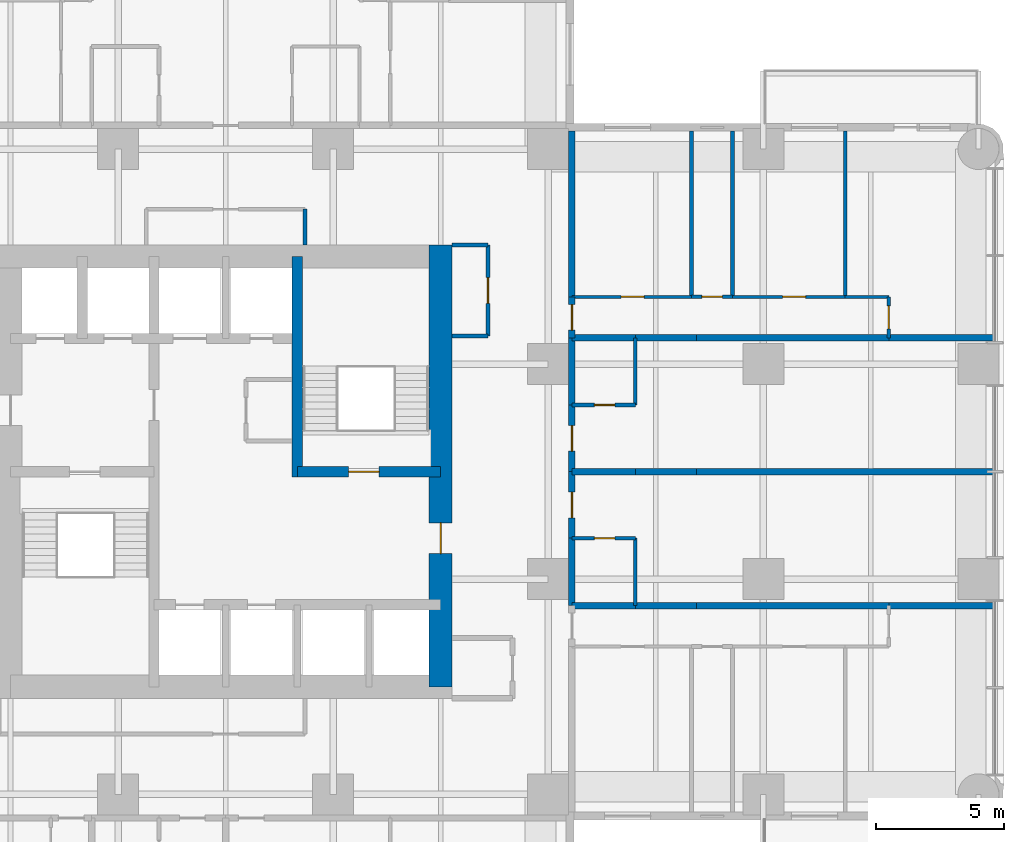
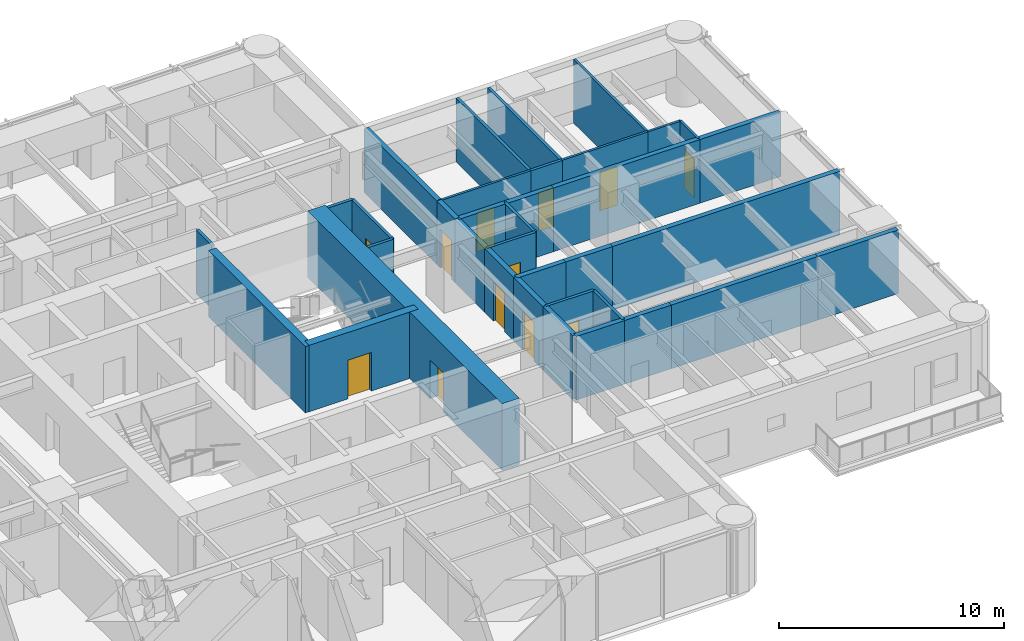
# One storey, part 10 of 14: 36 walls, 12 doors, 12 openings.
"""IFC4 building model written with IfcOpenShell, lengths in metres."""

from ifc_helpers import new_model, si_unit, direction, frame, frame_2d, origin, place, context, subcontext, project, spatial, rectangle, extrude, material, layer, layer_set, type_object, element, fill, save


model = new_model("IFC4")

# Units and contexts
model_context = context("Model", 3, precision=1e-05, world=origin(), true_north=direction((0.0, 1.0)))
body_context = subcontext(model_context, "Body", "Model", "MODEL_VIEW")
ifc_project = project(units=[si_unit("LENGTHUNIT", "METRE"), si_unit("AREAUNIT", "SQUARE_METRE"), si_unit("VOLUMEUNIT", "CUBIC_METRE"), si_unit("PLANEANGLEUNIT", "RADIAN"), si_unit("MASSUNIT", "GRAM", prefix="KILO")], contexts=[model_context])

# Site, building, storey
site_placement = place(None, origin())
site = spatial("IfcSite", under=ifc_project, at=site_placement, CompositionType="ELEMENT")
building_placement = place(site_placement, origin())
building = spatial("IfcBuilding", under=site, at=building_placement, Name="Torre Alcanfor", CompositionType="ELEMENT")
storey_placement = place(building_placement, frame((0.0, 0.0, 162.89990234375)))
storey = spatial("IfcBuildingStorey", under=building, at=storey_placement, Name="L42", CompositionType="ELEMENT", Elevation=162.89990234375)

# Wall, opening, door
ifc_material_1 = material(Name="Concrete block masonry, hollow blocks NMX-C-404 9 MPa", Category="masonry")
ifc_layer_1 = layer(ifc_material_1, 0.25)
ifc_layer_set_1 = layer_set([ifc_layer_1], Name="Apartment entrance wall 250 EI 60")
wall_type_1 = type_object("IfcWallType", Name="Apartment entrance wall 250 EI 60", PredefinedType="PARTITIONING", material=ifc_layer_set_1)
wall_1_placement = place(storey_placement, frame((42.925048828125, 32.0, 0.0), z_axis=(0.0, 0.0, 1.0), x_axis=(0.0, -1.0, 0.0)))
wall_1 = element("IfcWall", 1, at=wall_1_placement, inside=storey, type_object=wall_type_1, Name="Partition L42-CORR / L42-E1A-FOYER", PredefinedType="PARTITIONING", context=body_context, shape_type="SweptSolid", body=[
    extrude(rectangle(XDim=2.60009765625, YDim=0.25, at=frame_2d((1.300048828125, 0.0))), origin(), (0.0, 0.0, 1.0), 3.4501953125),
])
opening_1_placement = place(wall_1_placement, frame((0.800048828125, 0.0, 0.0)))
opening_1 = element("IfcOpeningElement", 2, at=opening_1_placement, cuts=wall_1, Name="Opening D-A1", PredefinedType="OPENING", context=body_context, shape_type="SweptSolid", body=[
    extrude(rectangle(XDim=1.0, YDim=2.10009765625, at=frame_2d((0.5, 1.050048828125))), frame((0.0, 0.135009765625, 0.0), z_axis=(0.0, -1.0, 0.0), x_axis=(1.0, 0.0, 0.0)), (0.0, 0.0, 1.0), 0.27001953125),
])
ifc_material_2 = material(Name="Galvanised steel sheet ASTM A653", Category="steel")
door_type_1 = type_object("IfcDoorType", Name="Apartment entrance door FD60 1000x2100", OperationType="SINGLE_SWING_LEFT", PredefinedType="DOOR", material=ifc_material_2)
door_1_placement = place(opening_1_placement, origin())
door_1 = element("IfcDoor", 3, at=door_1_placement, inside=storey, type_object=door_type_1, Name="Apartment entrance L42-E1A", OperationType="SINGLE_SWING_LEFT", OverallHeight=2.10009765625, OverallWidth=1.0, PredefinedType="DOOR", context=body_context, shape_type="SweptSolid", body=[
    extrude(rectangle(XDim=1.0, YDim=2.10009765625, at=frame_2d((0.5, 1.050048828125))), frame((0.0, 0.02490234375, 0.0), z_axis=(0.0, -1.0, 0.0), x_axis=(1.0, 0.0, 0.0)), (0.0, 0.0, 1.0), 0.050048828125),
])
fill(opening_1, door_1)

# Wall
wall_2_placement = place(storey_placement, frame((42.925048828125, 34.62890625, 0.0), z_axis=(0.0, 0.0, 1.0), x_axis=(0.0, -1.0, 0.0)))
element("IfcWall", 4, at=wall_2_placement, inside=storey, type_object=wall_type_1, Name="Partition L42-CORR / L42-E1A-BATH", PredefinedType="PARTITIONING", context=body_context, shape_type="SweptSolid", body=[
    extrude(rectangle(XDim=2.62890625, YDim=0.25, at=frame_2d((1.314453125, 0.0))), origin(), (0.0, 0.0, 1.0), 3.4501953125),
])

# Wall, opening, door
wall_3_placement = place(storey_placement, frame((42.925048828125, 36.22900390625, 0.0), z_axis=(0.0, 0.0, 1.0), x_axis=(0.0, -1.0, 0.0)))
wall_3 = element("IfcWall", 5, at=wall_3_placement, inside=storey, type_object=wall_type_1, Name="Partition L42-CORR / L42-E1B-HALL", PredefinedType="PARTITIONING", context=body_context, shape_type="SweptSolid", body=[
    extrude(rectangle(XDim=1.60009765625, YDim=0.25, at=frame_2d((0.800048828125, 0.0))), origin(), (0.0, 0.0, 1.0), 3.4501953125),
])
opening_2_placement = place(wall_3_placement, frame((0.300048828125, 0.0, 0.0)))
opening_2 = element("IfcOpeningElement", 6, at=opening_2_placement, cuts=wall_3, Name="Opening D-A1", PredefinedType="OPENING", context=body_context, shape_type="SweptSolid", body=[
    extrude(rectangle(XDim=1.0, YDim=2.10009765625, at=frame_2d((0.5, 1.050048828125))), frame((0.0, 0.135009765625, 0.0), z_axis=(0.0, -1.0, 0.0), x_axis=(1.0, 0.0, 0.0)), (0.0, 0.0, 1.0), 0.27001953125),
])
door_2_placement = place(opening_2_placement, origin())
door_2 = element("IfcDoor", 7, at=door_2_placement, inside=storey, type_object=door_type_1, Name="Apartment entrance L42-E1B", OperationType="SINGLE_SWING_LEFT", OverallHeight=2.10009765625, OverallWidth=1.0, PredefinedType="DOOR", context=body_context, shape_type="SweptSolid", body=[
    extrude(rectangle(XDim=1.0, YDim=2.10009765625, at=frame_2d((0.5, 1.050048828125))), frame((0.0, 0.02490234375, 0.0), z_axis=(0.0, -1.0, 0.0), x_axis=(1.0, 0.0, 0.0)), (0.0, 0.0, 1.0), 0.050048828125),
])
fill(opening_2, door_2)

# Wall
wall_4_placement = place(storey_placement, frame((42.925048828125, 42.699951171875, 0.0), z_axis=(0.0, 0.0, 1.0), x_axis=(0.0, -1.0, 0.0)))
element("IfcWall", 8, at=wall_4_placement, inside=storey, type_object=wall_type_1, Name="Partition L42-CORR / L42-E1B-MASTER", PredefinedType="PARTITIONING", context=body_context, shape_type="SweptSolid", body=[
    extrude(rectangle(XDim=6.470947265625, YDim=0.25, at=frame_2d((3.2353515625, 0.0))), origin(), (0.0, 0.0, 1.0), 3.4501953125),
])

# Wall, opening, door
wall_5_placement = place(storey_placement, frame((42.925048828125, 29.39990234375, 0.0), z_axis=(0.0, 0.0, 1.0), x_axis=(0.0, -1.0, 0.0)))
wall_5 = element("IfcWall", 9, at=wall_5_placement, inside=storey, type_object=wall_type_1, Name="Partition L42-CORR / L42-E2A-FOYER", PredefinedType="PARTITIONING", context=body_context, shape_type="SweptSolid", body=[
    extrude(rectangle(XDim=2.599853515625, YDim=0.25, at=frame_2d((1.2998046875, 0.0))), origin(), (0.0, 0.0, 1.0), 3.4501953125),
])
opening_3_placement = place(wall_5_placement, frame((0.800048828125, 0.0, 0.0)))
opening_3 = element("IfcOpeningElement", 10, at=opening_3_placement, cuts=wall_5, Name="Opening D-A1", PredefinedType="OPENING", context=body_context, shape_type="SweptSolid", body=[
    extrude(rectangle(XDim=1.0, YDim=2.10009765625, at=frame_2d((0.5, 1.050048828125))), frame((0.0, 0.135009765625, 0.0), z_axis=(0.0, -1.0, 0.0), x_axis=(1.0, 0.0, 0.0)), (0.0, 0.0, 1.0), 0.27001953125),
])
door_3_placement = place(opening_3_placement, origin())
door_3 = element("IfcDoor", 11, at=door_3_placement, inside=storey, type_object=door_type_1, Name="Apartment entrance L42-E2A", OperationType="SINGLE_SWING_LEFT", OverallHeight=2.10009765625, OverallWidth=1.0, PredefinedType="DOOR", context=body_context, shape_type="SweptSolid", body=[
    extrude(rectangle(XDim=1.0, YDim=2.10009765625, at=frame_2d((0.5, 1.050048828125))), frame((0.0, 0.02490234375, 0.0), z_axis=(0.0, -1.0, 0.0), x_axis=(1.0, 0.0, 0.0)), (0.0, 0.0, 1.0), 0.050048828125),
])
fill(opening_3, door_3)

# Wall
wall_6_placement = place(storey_placement, frame((42.925048828125, 26.800048828125, 0.0), z_axis=(0.0, 0.0, 1.0), x_axis=(0.0, -1.0, 0.0)))
element("IfcWall", 12, at=wall_6_placement, inside=storey, type_object=wall_type_1, Name="Partition L42-CORR / L42-E2A-BATH", PredefinedType="PARTITIONING", context=body_context, shape_type="SweptSolid", body=[
    extrude(rectangle(XDim=2.629150390625, YDim=0.25, at=frame_2d((1.314453125, 0.0))), origin(), (0.0, 0.0, 1.0), 3.4501953125),
])

# Wall, opening, door
ifc_material_3 = material(Name="Gypsum board on steel studs", Category="steel")
ifc_layer_2 = layer(ifc_material_3, 0.1201171875)
ifc_layer_set_2 = layer_set([ifc_layer_2], Name="Apartment partition 120")
wall_type_2 = type_object("IfcWallType", Name="Apartment partition 120", PredefinedType="PARTITIONING", material=ifc_layer_set_2)
wall_7_placement = place(storey_placement, frame((47.60009765625, 36.22900390625, 0.0), z_axis=(0.0, 0.0, 1.0), x_axis=(-1.0, 0.0, 0.0)))
wall_7 = element("IfcWall", 13, at=wall_7_placement, inside=storey, type_object=wall_type_2, Name="Partition L42-E1B-HALL / L42-E1B-MASTER", PredefinedType="PARTITIONING", context=body_context, shape_type="SweptSolid", body=[
    extrude(rectangle(XDim=4.675048828125, YDim=0.1201171875, at=frame_2d((2.33740234375, 0.0))), origin(), (0.0, 0.0, 1.0), 3.4501953125),
])
opening_4_placement = place(wall_7_placement, frame((1.85009765625, 0.0, 0.0)))
opening_4 = element("IfcOpeningElement", 14, at=opening_4_placement, cuts=wall_7, Name="Opening D-R1", PredefinedType="OPENING", context=body_context, shape_type="SweptSolid", body=[
    extrude(rectangle(XDim=0.89990234375, YDim=2.10009765625, at=frame_2d((0.449951171875, 1.050048828125))), frame((0.0, 0.070068359375, 0.0), z_axis=(0.0, -1.0, 0.0), x_axis=(1.0, 0.0, 0.0)), (0.0, 0.0, 1.0), 0.14013671875),
])
ifc_material_4 = material(Name="Timber", Category="wood")
door_type_2 = type_object("IfcDoorType", Name="Internal door 900x2100", OperationType="SINGLE_SWING_LEFT", PredefinedType="DOOR", material=ifc_material_4)
door_4_placement = place(opening_4_placement, frame((0.89990234375, 0.0, 0.0), z_axis=(0.0, 0.0, 1.0), x_axis=(-1.0, 0.0, 0.0)))
door_4 = element("IfcDoor", 15, at=door_4_placement, inside=storey, type_object=door_type_2, Name="Door L42-E1B master", OperationType="SINGLE_SWING_RIGHT", OverallHeight=2.10009765625, OverallWidth=0.89990234375, PredefinedType="DOOR", context=body_context, shape_type="SweptSolid", body=[
    extrude(rectangle(XDim=0.89990234375, YDim=2.10009765625, at=frame_2d((0.449951171875, 1.050048828125))), frame((0.0, 0.025146484375, 0.0), z_axis=(0.0, -1.0, 0.0), x_axis=(1.0, 0.0, 0.0)), (0.0, 0.0, 1.0), 0.050048828125),
])
fill(opening_4, door_4)

wall_8_placement = place(storey_placement, frame((53.60009765625, 36.22900390625, 0.0), z_axis=(0.0, 0.0, 1.0), x_axis=(-1.0, 0.0, 0.0)))
wall_8 = element("IfcWall", 16, at=wall_8_placement, inside=storey, type_object=wall_type_2, Name="Partition L42-E1B-HALL / L42-E1B-STUDY", PredefinedType="PARTITIONING", context=body_context, shape_type="SweptSolid", body=[
    extrude(rectangle(XDim=4.400146484375, YDim=0.1201171875, at=frame_2d((2.2001953125, 0.0))), origin(), (0.0, 0.0, 1.0), 3.4501953125),
])
opening_5_placement = place(wall_8_placement, frame((1.550048828125, 0.0, 0.0)))
opening_5 = element("IfcOpeningElement", 17, at=opening_5_placement, cuts=wall_8, Name="Opening D-R1", PredefinedType="OPENING", context=body_context, shape_type="SweptSolid", body=[
    extrude(rectangle(XDim=0.89990234375, YDim=2.10009765625, at=frame_2d((0.449951171875, 1.050048828125))), frame((0.0, 0.070068359375, 0.0), z_axis=(0.0, -1.0, 0.0), x_axis=(1.0, 0.0, 0.0)), (0.0, 0.0, 1.0), 0.14013671875),
])
door_5_placement = place(opening_5_placement, frame((0.89990234375, 0.0, 0.0), z_axis=(0.0, 0.0, 1.0), x_axis=(-1.0, 0.0, 0.0)))
door_5 = element("IfcDoor", 18, at=door_5_placement, inside=storey, type_object=door_type_2, Name="Door L42-E1B study", OperationType="SINGLE_SWING_RIGHT", OverallHeight=2.10009765625, OverallWidth=0.89990234375, PredefinedType="DOOR", context=body_context, shape_type="SweptSolid", body=[
    extrude(rectangle(XDim=0.89990234375, YDim=2.10009765625, at=frame_2d((0.449951171875, 1.050048828125))), frame((0.0, 0.025146484375, 0.0), z_axis=(0.0, -1.0, 0.0), x_axis=(1.0, 0.0, 0.0)), (0.0, 0.0, 1.0), 0.050048828125),
])
fill(opening_5, door_5)

# Wall
wall_9_placement = place(storey_placement, frame((55.300048828125, 36.22900390625, 0.0), z_axis=(0.0, 0.0, 1.0), x_axis=(-1.0, 0.0, 0.0)))
element("IfcWall", 19, at=wall_9_placement, inside=storey, type_object=wall_type_2, Name="Partition L42-E1B-HALL / L42-E1B-KITCHEN", PredefinedType="PARTITIONING", context=body_context, shape_type="SweptSolid", body=[
    extrude(rectangle(XDim=1.699951171875, YDim=0.1201171875, at=frame_2d((0.85009765625, 0.0))), origin(), (0.0, 0.0, 1.0), 3.4501953125),
])

# Wall, opening, door
wall_10_placement = place(storey_placement, frame((55.300048828125, 34.62890625, 0.0), z_axis=(0.0, 0.0, 1.0), x_axis=(0.0, 1.0, 0.0)))
wall_10 = element("IfcWall", 20, at=wall_10_placement, inside=storey, type_object=wall_type_2, Name="Partition L42-E1B-HALL / L42-E1B-LIVING", PredefinedType="PARTITIONING", context=body_context, shape_type="SweptSolid", body=[
    extrude(rectangle(XDim=1.60009765625, YDim=0.1201171875, at=frame_2d((0.800048828125, 0.0))), origin(), (0.0, 0.0, 1.0), 3.4501953125),
])
opening_6_placement = place(wall_10_placement, frame((0.35009765625, 0.0, 0.0)))
opening_6 = element("IfcOpeningElement", 21, at=opening_6_placement, cuts=wall_10, Name="Opening D-R1", PredefinedType="OPENING", context=body_context, shape_type="SweptSolid", body=[
    extrude(rectangle(XDim=0.89990234375, YDim=2.10009765625, at=frame_2d((0.449951171875, 1.050048828125))), frame((0.0, 0.070068359375, 0.0), z_axis=(0.0, -1.0, 0.0), x_axis=(1.0, 0.0, 0.0)), (0.0, 0.0, 1.0), 0.14013671875),
])
door_6_placement = place(opening_6_placement, frame((0.89990234375, 0.0, 0.0), z_axis=(0.0, 0.0, 1.0), x_axis=(-1.0, 0.0, 0.0)))
door_6 = element("IfcDoor", 22, at=door_6_placement, inside=storey, type_object=door_type_2, Name="Door L42-E1B living", OperationType="SINGLE_SWING_RIGHT", OverallHeight=2.10009765625, OverallWidth=0.89990234375, PredefinedType="DOOR", context=body_context, shape_type="SweptSolid", body=[
    extrude(rectangle(XDim=0.89990234375, YDim=2.10009765625, at=frame_2d((0.449951171875, 1.050048828125))), frame((0.0, 0.025146484375, 0.0), z_axis=(0.0, -1.0, 0.0), x_axis=(1.0, 0.0, 0.0)), (0.0, 0.0, 1.0), 0.050048828125),
])
fill(opening_6, door_6)

# Walls
wall_11_placement = place(storey_placement, frame((53.60009765625, 36.22900390625, 0.0), z_axis=(0.0, 0.0, 1.0), x_axis=(0.0, 1.0, 0.0)))
element("IfcWall", 23, at=wall_11_placement, inside=storey, type_object=wall_type_2, Name="Partition L42-E1B-STUDY / L42-E1B-KITCHEN", PredefinedType="PARTITIONING", context=body_context, shape_type="SweptSolid", body=[
    extrude(rectangle(XDim=6.470947265625, YDim=0.1201171875, at=frame_2d((3.2353515625, 0.0))), origin(), (0.0, 0.0, 1.0), 3.4501953125),
])
ifc_material_5 = material(Name="Concrete f'c 70 MPa", Category="concrete")
ifc_layer_3 = layer(ifc_material_5, 0.39990234375)
ifc_layer_set_3 = layer_set([ifc_layer_3], Name="Core inner wall 400 f'c70")
wall_type_3 = type_object("IfcWallType", Name="Core inner wall 400 f'c70", PredefinedType="SHEAR", material=ifc_layer_set_3)
wall_12_placement = place(storey_placement, frame((32.199951171875, 29.199951171875, 0.0), z_axis=(0.0, 0.0, 1.0), x_axis=(0.0, 1.0, 0.0)))
element("IfcWall", 24, at=wall_12_placement, inside=storey, type_object=wall_type_3, Name="Core wall X322N L42", PredefinedType="SHEAR", context=body_context, shape_type="SweptSolid", body=[
    extrude(rectangle(XDim=8.60009765625, YDim=0.39990234375, at=frame_2d((4.300048828125, 0.0))), origin(), (0.0, 0.0, 1.0), 3.60009765625),
])

# Wall, opening, door
wall_13_placement = place(storey_placement, frame((32.199951171875, 29.39990234375, 0.0), z_axis=(0.0, 0.0, 1.0), x_axis=(1.0, 0.0, 0.0)))
wall_13 = element("IfcWall", 25, at=wall_13_placement, inside=storey, type_object=wall_type_3, Name="Core wall Y294E L42", PredefinedType="SHEAR", context=body_context, shape_type="SweptSolid", body=[
    extrude(rectangle(XDim=5.60009765625, YDim=0.39990234375, at=frame_2d((2.800048828125, 0.0))), origin(), (0.0, 0.0, 1.0), 3.60009765625),
])
opening_7_placement = place(wall_13_placement, frame((2.0, 0.0, 0.0)))
opening_7 = element("IfcOpeningElement", 26, at=opening_7_placement, cuts=wall_13, Name="Opening D-S2", PredefinedType="OPENING", context=body_context, shape_type="SweptSolid", body=[
    extrude(rectangle(XDim=1.199951171875, YDim=2.10009765625, at=frame_2d((0.60009765625, 1.050048828125))), frame((0.0, 0.2099609375, 0.0), z_axis=(0.0, -1.0, 0.0), x_axis=(1.0, 0.0, 0.0)), (0.0, 0.0, 1.0), 0.419921875),
])
ifc_material_6 = material(Name="Galvanised steel sheet ASTM A653", Category="steel")
door_type_3 = type_object("IfcDoorType", Name="Stair enclosure door FD120 1200x2100", OperationType="SINGLE_SWING_LEFT", PredefinedType="DOOR", material=ifc_material_6)
door_7_placement = place(opening_7_placement, origin())
door_7 = element("IfcDoor", 27, at=door_7_placement, inside=storey, type_object=door_type_3, Name="Stair S2 door L42", OperationType="SINGLE_SWING_LEFT", OverallHeight=2.10009765625, OverallWidth=1.199951171875, PredefinedType="DOOR", context=body_context, shape_type="SweptSolid", body=[
    extrude(rectangle(XDim=1.199951171875, YDim=2.10009765625, at=frame_2d((0.60009765625, 1.050048828125))), frame((0.0, 0.02490234375, 0.0), z_axis=(0.0, -1.0, 0.0), x_axis=(1.0, 0.0, 0.0)), (0.0, 0.0, 1.0), 0.050048828125),
])
fill(opening_7, door_7)

ifc_material_7 = material(Name="Concrete f'c 70 MPa", Category="concrete")
ifc_layer_4 = layer(ifc_material_7, 0.89990234375)
ifc_layer_set_4 = layer_set([ifc_layer_4], Name="Core wall 900 f'c70")
wall_type_4 = type_object("IfcWallType", Name="Core wall 900 f'c70", PredefinedType="SHEAR", material=ifc_layer_set_4)
wall_14_placement = place(storey_placement, frame((37.800048828125, 21.0, 0.0), z_axis=(0.0, 0.0, 1.0), x_axis=(0.0, 1.0, 0.0)))
wall_14 = element("IfcWall", 28, at=wall_14_placement, inside=storey, type_object=wall_type_4, Name="Core wall OUT-E L42", PredefinedType="SHEAR", context=body_context, shape_type="SweptSolid", body=[
    extrude(rectangle(XDim=17.25, YDim=0.89990234375, at=frame_2d((8.625, 0.0))), origin(), (0.0, 0.0, 1.0), 3.60009765625),
])
opening_8_placement = place(wall_14_placement, frame((5.199951171875, 0.0, 0.0)))
opening_8 = element("IfcOpeningElement", 29, at=opening_8_placement, cuts=wall_14, Name="Opening D-L1", PredefinedType="OPENING", context=body_context, shape_type="SweptSolid", body=[
    extrude(rectangle(XDim=1.199951171875, YDim=2.10009765625, at=frame_2d((0.60009765625, 1.050048828125))), frame((0.0, 0.4599609375, 0.0), z_axis=(0.0, -1.0, 0.0), x_axis=(1.0, 0.0, 0.0)), (0.0, 0.0, 1.0), 0.919921875),
])
ifc_material_8 = material(Name="Galvanised steel sheet ASTM A653", Category="steel")
door_type_4 = type_object("IfcDoorType", Name="Lobby door FD120 1200x2100", OperationType="SINGLE_SWING_LEFT", PredefinedType="DOOR", material=ifc_material_8)
door_8_placement = place(opening_8_placement, origin())
door_8 = element("IfcDoor", 30, at=door_8_placement, inside=storey, type_object=door_type_4, Name="Lift lobby entrance door L42", OperationType="SINGLE_SWING_LEFT", OverallHeight=2.10009765625, OverallWidth=1.199951171875, PredefinedType="DOOR", context=body_context, shape_type="SweptSolid", body=[
    extrude(rectangle(XDim=1.199951171875, YDim=2.10009765625, at=frame_2d((0.60009765625, 1.050048828125))), frame((0.0, 0.02490234375, 0.0), z_axis=(0.0, -1.0, 0.0), x_axis=(1.0, 0.0, 0.0)), (0.0, 0.0, 1.0), 0.050048828125),
])
fill(opening_8, door_8)

# Walls
ifc_material_9 = material(Name="Concrete block masonry, hollow blocks NMX-C-404 9 MPa", Category="masonry")
ifc_layer_5 = layer(ifc_material_9, 0.25)
ifc_layer_set_5 = layer_set([ifc_layer_5], Name="Party wall 250 EI 60")
wall_type_5 = type_object("IfcWallType", Name="Party wall 250 EI 60", PredefinedType="PARTITIONING", material=ifc_layer_set_5)
for number, where, z_axis, x_axis, name in (
    (31, (42.925048828125, 29.39990234375, 0.0), (0.0, 0.0, 1.0), (1.0, 0.0, 0.0), "Partition L42-E1A-FOYER / L42-E2A-FOYER"),
    (32, (45.39990234375, 34.62890625, 0.0), (0.0, 0.0, 1.0), (-1.0, 0.0, 0.0), "Partition L42-E1A-BATH / L42-E1B-HALL"),
):
    element("IfcWall", number, at=place(storey_placement, frame(where, z_axis=z_axis, x_axis=x_axis)), inside=storey, type_object=wall_type_5, Name=name, PredefinedType="PARTITIONING", context=body_context, shape_type="SweptSolid", body=[
        extrude(rectangle(XDim=2.474853515625, YDim=0.25, at=frame_2d((1.2373046875, 0.0))), origin(), (0.0, 0.0, 1.0), 3.4501953125),
    ])
for number, where, z_axis, x_axis, name in (
    (33, (47.800048828125, 34.62890625, 0.0), (0.0, 0.0, 1.0), (-1.0, 0.0, 0.0), "Partition L42-E1A-KITCHEN / L42-E1B-HALL"),
    (34, (45.39990234375, 29.39990234375, 0.0), (0.0, 0.0, 1.0), (1.0, 0.0, 0.0), "Partition L42-E1A-KITCHEN / L42-E2A-KITCHEN"),
):
    element("IfcWall", number, at=place(storey_placement, frame(where, z_axis=z_axis, x_axis=x_axis)), inside=storey, type_object=wall_type_5, Name=name, PredefinedType="PARTITIONING", context=body_context, shape_type="SweptSolid", body=[
        extrude(rectangle(XDim=2.400146484375, YDim=0.25, at=frame_2d((1.2001953125, 0.0))), origin(), (0.0, 0.0, 1.0), 3.4501953125),
    ])
wall_15_placement = place(storey_placement, frame((55.300048828125, 34.62890625, 0.0), z_axis=(0.0, 0.0, 1.0), x_axis=(-1.0, 0.0, 0.0)))
element("IfcWall", 35, at=wall_15_placement, inside=storey, type_object=wall_type_5, Name="Partition L42-E1A-STUDIO / L42-E1B-HALL", PredefinedType="PARTITIONING", context=body_context, shape_type="SweptSolid", body=[
    extrude(rectangle(XDim=7.5, YDim=0.25, at=frame_2d((3.75, 0.0))), origin(), (0.0, 0.0, 1.0), 3.4501953125),
])
wall_16_placement = place(storey_placement, frame((59.449951171875, 34.62890625, 0.0), z_axis=(0.0, 0.0, 1.0), x_axis=(-1.0, 0.0, 0.0)))
element("IfcWall", 36, at=wall_16_placement, inside=storey, type_object=wall_type_5, Name="Partition L42-E1A-STUDIO / L42-E1B-LIVING", PredefinedType="PARTITIONING", context=body_context, shape_type="SweptSolid", body=[
    extrude(rectangle(XDim=4.14990234375, YDim=0.25, at=frame_2d((2.074951171875, 0.0))), origin(), (0.0, 0.0, 1.0), 3.4501953125),
])
wall_17_placement = place(storey_placement, frame((47.800048828125, 29.39990234375, 0.0), z_axis=(0.0, 0.0, 1.0), x_axis=(1.0, 0.0, 0.0)))
element("IfcWall", 37, at=wall_17_placement, inside=storey, type_object=wall_type_5, Name="Partition L42-E1A-STUDIO / L42-E2A-STUDIO", PredefinedType="PARTITIONING", context=body_context, shape_type="SweptSolid", body=[
    extrude(rectangle(XDim=11.64990234375, YDim=0.25, at=frame_2d((5.824951171875, 0.0))), origin(), (0.0, 0.0, 1.0), 3.4501953125),
])
wall_18_placement = place(storey_placement, frame((45.39990234375, 24.1708984375, 0.0), z_axis=(0.0, 0.0, 1.0), x_axis=(-1.0, 0.0, 0.0)))
element("IfcWall", 38, at=wall_18_placement, inside=storey, type_object=wall_type_5, Name="Partition L42-E2A-BATH / L42-E2B-HALL", PredefinedType="PARTITIONING", context=body_context, shape_type="SweptSolid", body=[
    extrude(rectangle(XDim=2.474853515625, YDim=0.25, at=frame_2d((1.2373046875, 0.0))), origin(), (0.0, 0.0, 1.0), 3.4501953125),
])
wall_19_placement = place(storey_placement, frame((47.800048828125, 24.1708984375, 0.0), z_axis=(0.0, 0.0, 1.0), x_axis=(-1.0, 0.0, 0.0)))
element("IfcWall", 39, at=wall_19_placement, inside=storey, type_object=wall_type_5, Name="Partition L42-E2A-KITCHEN / L42-E2B-HALL", PredefinedType="PARTITIONING", context=body_context, shape_type="SweptSolid", body=[
    extrude(rectangle(XDim=2.400146484375, YDim=0.25, at=frame_2d((1.2001953125, 0.0))), origin(), (0.0, 0.0, 1.0), 3.4501953125),
])
wall_20_placement = place(storey_placement, frame((55.300048828125, 24.1708984375, 0.0), z_axis=(0.0, 0.0, 1.0), x_axis=(-1.0, 0.0, 0.0)))
element("IfcWall", 40, at=wall_20_placement, inside=storey, type_object=wall_type_5, Name="Partition L42-E2A-STUDIO / L42-E2B-HALL", PredefinedType="PARTITIONING", context=body_context, shape_type="SweptSolid", body=[
    extrude(rectangle(XDim=7.5, YDim=0.25, at=frame_2d((3.75, 0.0))), origin(), (0.0, 0.0, 1.0), 3.4501953125),
])
wall_21_placement = place(storey_placement, frame((59.449951171875, 24.1708984375, 0.0), z_axis=(0.0, 0.0, 1.0), x_axis=(-1.0, 0.0, 0.0)))
element("IfcWall", 41, at=wall_21_placement, inside=storey, type_object=wall_type_5, Name="Partition L42-E2A-STUDIO / L42-E2B-LIVING", PredefinedType="PARTITIONING", context=body_context, shape_type="SweptSolid", body=[
    extrude(rectangle(XDim=4.14990234375, YDim=0.25, at=frame_2d((2.074951171875, 0.0))), origin(), (0.0, 0.0, 1.0), 3.4501953125),
])
ifc_material_10 = material(Name="Concrete block masonry, hollow blocks NMX-C-404 9 MPa", Category="masonry")
ifc_layer_6 = layer(ifc_material_10, 0.14990234375)
ifc_layer_set_6 = layer_set([ifc_layer_6], Name="Residents' room partition 150")
wall_type_6 = type_object("IfcWallType", Name="Residents' room partition 150", PredefinedType="PARTITIONING", material=ifc_layer_set_6)
for number, where, z_axis, x_axis, name in (
    (42, (32.5, 38.25, 0.0), (0.0, 0.0, 1.0), (0.0, 1.0, 0.0), "Partition L42-CORR / L42-G01"),
    (43, (38.25, 34.699951171875, 0.0), (0.0, 0.0, 1.0), (1.0, 0.0, 0.0), "Partition L42-CORR / L42-G03"),
):
    element("IfcWall", number, at=place(storey_placement, frame(where, z_axis=z_axis, x_axis=x_axis)), inside=storey, type_object=wall_type_6, Name=name, PredefinedType="PARTITIONING", context=body_context, shape_type="SweptSolid", body=[
        extrude(rectangle(XDim=1.39990234375, YDim=0.14990234375, at=frame_2d((0.699951171875, 0.0))), origin(), (0.0, 0.0, 1.0), 3.4501953125),
    ])

# Wall, opening, door
wall_22_placement = place(storey_placement, frame((39.64990234375, 34.699951171875, 0.0), z_axis=(0.0, 0.0, 1.0), x_axis=(0.0, 1.0, 0.0)))
wall_22 = element("IfcWall", 44, at=wall_22_placement, inside=storey, type_object=wall_type_6, Name="Partition L42-CORR / L42-G03", PredefinedType="PARTITIONING", context=body_context, shape_type="SweptSolid", body=[
    extrude(rectangle(XDim=3.550048828125, YDim=0.14990234375, at=frame_2d((1.77490234375, 0.0))), origin(), (0.0, 0.0, 1.0), 3.4501953125),
])
opening_9_placement = place(wall_22_placement, frame((1.27490234375, 0.0, 0.0)))
opening_9 = element("IfcOpeningElement", 45, at=opening_9_placement, cuts=wall_22, Name="Opening D-M1", PredefinedType="OPENING", context=body_context, shape_type="SweptSolid", body=[
    extrude(rectangle(XDim=1.0, YDim=2.10009765625, at=frame_2d((0.5, 1.050048828125))), frame((0.0, 0.0849609375, 0.0), z_axis=(0.0, -1.0, 0.0), x_axis=(1.0, 0.0, 0.0)), (0.0, 0.0, 1.0), 0.169921875),
])
ifc_material_11 = material(Name="Timber", Category="wood")
door_type_5 = type_object("IfcDoorType", Name="Residents' room door 1000x2100", OperationType="SINGLE_SWING_LEFT", PredefinedType="DOOR", material=ifc_material_11)
door_9_placement = place(opening_9_placement, origin())
door_9 = element("IfcDoor", 46, at=door_9_placement, inside=storey, type_object=door_type_5, Name="Door L42-G03 pram and buggy store", OperationType="SINGLE_SWING_LEFT", OverallHeight=2.10009765625, OverallWidth=1.0, PredefinedType="DOOR", context=body_context, shape_type="SweptSolid", body=[
    extrude(rectangle(XDim=1.0, YDim=2.10009765625, at=frame_2d((0.5, 1.050048828125))), frame((0.0, 0.02490234375, 0.0), z_axis=(0.0, -1.0, 0.0), x_axis=(1.0, 0.0, 0.0)), (0.0, 0.0, 1.0), 0.050048828125),
])
fill(opening_9, door_9)

# Wall
wall_23_placement = place(storey_placement, frame((39.64990234375, 38.25, 0.0), z_axis=(0.0, 0.0, 1.0), x_axis=(-1.0, 0.0, 0.0)))
element("IfcWall", 47, at=wall_23_placement, inside=storey, type_object=wall_type_6, Name="Partition L42-CORR / L42-G03", PredefinedType="PARTITIONING", context=body_context, shape_type="SweptSolid", body=[
    extrude(rectangle(XDim=1.39990234375, YDim=0.14990234375, at=frame_2d((0.699951171875, 0.0))), origin(), (0.0, 0.0, 1.0), 3.4501953125),
])

# Wall, opening, door
ifc_material_12 = material(Name="Cement board on steel studs", Category="steel")
ifc_layer_7 = layer(ifc_material_12, 0.14990234375)
ifc_layer_set_7 = layer_set([ifc_layer_7], Name="Wet area partition 150")
wall_type_7 = type_object("IfcWallType", Name="Wet area partition 150", PredefinedType="PARTITIONING", material=ifc_layer_set_7)
wall_24_placement = place(storey_placement, frame((45.39990234375, 32.0, 0.0), z_axis=(0.0, 0.0, 1.0), x_axis=(-1.0, 0.0, 0.0)))
wall_24 = element("IfcWall", 48, at=wall_24_placement, inside=storey, type_object=wall_type_7, Name="Partition L42-E1A-FOYER / L42-E1A-BATH", PredefinedType="PARTITIONING", context=body_context, shape_type="SweptSolid", body=[
    extrude(rectangle(XDim=2.474853515625, YDim=0.14990234375, at=frame_2d((1.2373046875, 0.0))), origin(), (0.0, 0.0, 1.0), 3.4501953125),
])
opening_10_placement = place(wall_24_placement, frame((0.800048828125, 0.0, 0.0)))
opening_10 = element("IfcOpeningElement", 49, at=opening_10_placement, cuts=wall_24, Name="Opening D-R2", PredefinedType="OPENING", context=body_context, shape_type="SweptSolid", body=[
    extrude(rectangle(XDim=0.800048828125, YDim=2.10009765625, at=frame_2d((0.39990234375, 1.050048828125))), frame((0.0, 0.0849609375, 0.0), z_axis=(0.0, -1.0, 0.0), x_axis=(1.0, 0.0, 0.0)), (0.0, 0.0, 1.0), 0.169921875),
])
ifc_material_13 = material(Name="Timber", Category="wood")
door_type_6 = type_object("IfcDoorType", Name="Bathroom door 800x2100", OperationType="SINGLE_SWING_LEFT", PredefinedType="DOOR", material=ifc_material_13)
door_10_placement = place(opening_10_placement, frame((0.800048828125, 0.0, 0.0), z_axis=(0.0, 0.0, 1.0), x_axis=(-1.0, 0.0, 0.0)))
door_10 = element("IfcDoor", 50, at=door_10_placement, inside=storey, type_object=door_type_6, Name="Door L42-E1A bath", OperationType="SINGLE_SWING_RIGHT", OverallHeight=2.10009765625, OverallWidth=0.800048828125, PredefinedType="DOOR", context=body_context, shape_type="SweptSolid", body=[
    extrude(rectangle(XDim=0.800048828125, YDim=2.10009765625, at=frame_2d((0.400146484375, 1.050048828125))), frame((0.0, 0.025146484375, 0.0), z_axis=(0.0, -1.0, 0.0), x_axis=(1.0, 0.0, 0.0)), (0.0, 0.0, 1.0), 0.050048828125),
])
fill(opening_10, door_10)

# Wall
wall_25_placement = place(storey_placement, frame((45.39990234375, 32.0, 0.0), z_axis=(0.0, 0.0, 1.0), x_axis=(0.0, 1.0, 0.0)))
element("IfcWall", 51, at=wall_25_placement, inside=storey, type_object=wall_type_7, Name="Partition L42-E1A-BATH / L42-E1A-KITCHEN", PredefinedType="PARTITIONING", context=body_context, shape_type="SweptSolid", body=[
    extrude(rectangle(XDim=2.62890625, YDim=0.14990234375, at=frame_2d((1.314453125, 0.0))), origin(), (0.0, 0.0, 1.0), 3.4501953125),
])

# Wall, opening, door
wall_26_placement = place(storey_placement, frame((49.199951171875, 36.22900390625, 0.0), z_axis=(0.0, 0.0, 1.0), x_axis=(-1.0, 0.0, 0.0)))
wall_26 = element("IfcWall", 52, at=wall_26_placement, inside=storey, type_object=wall_type_7, Name="Partition L42-E1B-HALL / L42-E1B-BATH", PredefinedType="PARTITIONING", context=body_context, shape_type="SweptSolid", body=[
    extrude(rectangle(XDim=1.599853515625, YDim=0.14990234375, at=frame_2d((0.7998046875, 0.0))), origin(), (0.0, 0.0, 1.0), 3.4501953125),
])
opening_11_placement = place(wall_26_placement, frame((0.39990234375, 0.0, 0.0)))
opening_11 = element("IfcOpeningElement", 53, at=opening_11_placement, cuts=wall_26, Name="Opening D-R2", PredefinedType="OPENING", context=body_context, shape_type="SweptSolid", body=[
    extrude(rectangle(XDim=0.800048828125, YDim=2.10009765625, at=frame_2d((0.39990234375, 1.050048828125))), frame((0.0, 0.0849609375, 0.0), z_axis=(0.0, -1.0, 0.0), x_axis=(1.0, 0.0, 0.0)), (0.0, 0.0, 1.0), 0.169921875),
])
door_11_placement = place(opening_11_placement, frame((0.800048828125, 0.0, 0.0), z_axis=(0.0, 0.0, 1.0), x_axis=(-1.0, 0.0, 0.0)))
door_11 = element("IfcDoor", 54, at=door_11_placement, inside=storey, type_object=door_type_6, Name="Door L42-E1B bath", OperationType="SINGLE_SWING_RIGHT", OverallHeight=2.10009765625, OverallWidth=0.800048828125, PredefinedType="DOOR", context=body_context, shape_type="SweptSolid", body=[
    extrude(rectangle(XDim=0.800048828125, YDim=2.10009765625, at=frame_2d((0.400146484375, 1.050048828125))), frame((0.0, 0.025146484375, 0.0), z_axis=(0.0, -1.0, 0.0), x_axis=(1.0, 0.0, 0.0)), (0.0, 0.0, 1.0), 0.050048828125),
])
fill(opening_11, door_11)

# Walls
for number, where, z_axis, x_axis, name in (
    (55, (47.60009765625, 36.22900390625, 0.0), (0.0, 0.0, 1.0), (0.0, 1.0, 0.0), "Partition L42-E1B-MASTER / L42-E1B-BATH"),
    (56, (49.199951171875, 36.22900390625, 0.0), (0.0, 0.0, 1.0), (0.0, 1.0, 0.0), "Partition L42-E1B-BATH / L42-E1B-STUDY"),
):
    element("IfcWall", number, at=place(storey_placement, frame(where, z_axis=z_axis, x_axis=x_axis)), inside=storey, type_object=wall_type_7, Name=name, PredefinedType="PARTITIONING", context=body_context, shape_type="SweptSolid", body=[
        extrude(rectangle(XDim=6.470947265625, YDim=0.14990234375, at=frame_2d((3.2353515625, 0.0))), origin(), (0.0, 0.0, 1.0), 3.4501953125),
    ])

# Wall, opening, door
wall_27_placement = place(storey_placement, frame((45.39990234375, 26.800048828125, 0.0), z_axis=(0.0, 0.0, 1.0), x_axis=(-1.0, 0.0, 0.0)))
wall_27 = element("IfcWall", 57, at=wall_27_placement, inside=storey, type_object=wall_type_7, Name="Partition L42-E2A-FOYER / L42-E2A-BATH", PredefinedType="PARTITIONING", context=body_context, shape_type="SweptSolid", body=[
    extrude(rectangle(XDim=2.474853515625, YDim=0.14990234375, at=frame_2d((1.2373046875, 0.0))), origin(), (0.0, 0.0, 1.0), 3.4501953125),
])
opening_12_placement = place(wall_27_placement, frame((0.800048828125, 0.0, 0.0)))
opening_12 = element("IfcOpeningElement", 58, at=opening_12_placement, cuts=wall_27, Name="Opening D-R2", PredefinedType="OPENING", context=body_context, shape_type="SweptSolid", body=[
    extrude(rectangle(XDim=0.800048828125, YDim=2.10009765625, at=frame_2d((0.39990234375, 1.050048828125))), frame((0.0, 0.0849609375, 0.0), z_axis=(0.0, -1.0, 0.0), x_axis=(1.0, 0.0, 0.0)), (0.0, 0.0, 1.0), 0.169921875),
])
door_12_placement = place(opening_12_placement, origin())
door_12 = element("IfcDoor", 59, at=door_12_placement, inside=storey, type_object=door_type_6, Name="Door L42-E2A bath", OperationType="SINGLE_SWING_LEFT", OverallHeight=2.10009765625, OverallWidth=0.800048828125, PredefinedType="DOOR", context=body_context, shape_type="SweptSolid", body=[
    extrude(rectangle(XDim=0.800048828125, YDim=2.10009765625, at=frame_2d((0.39990234375, 1.050048828125))), frame((0.0, 0.02490234375, 0.0), z_axis=(0.0, -1.0, 0.0), x_axis=(1.0, 0.0, 0.0)), (0.0, 0.0, 1.0), 0.050048828125),
])
fill(opening_12, door_12)

# Wall
wall_28_placement = place(storey_placement, frame((45.39990234375, 26.800048828125, 0.0), z_axis=(0.0, 0.0, 1.0), x_axis=(0.0, -1.0, 0.0)))
element("IfcWall", 60, at=wall_28_placement, inside=storey, type_object=wall_type_7, Name="Partition L42-E2A-BATH / L42-E2A-KITCHEN", PredefinedType="PARTITIONING", context=body_context, shape_type="SweptSolid", body=[
    extrude(rectangle(XDim=2.629150390625, YDim=0.14990234375, at=frame_2d((1.314453125, 0.0))), origin(), (0.0, 0.0, 1.0), 3.4501953125),
])

save(model, "model.ifc")
